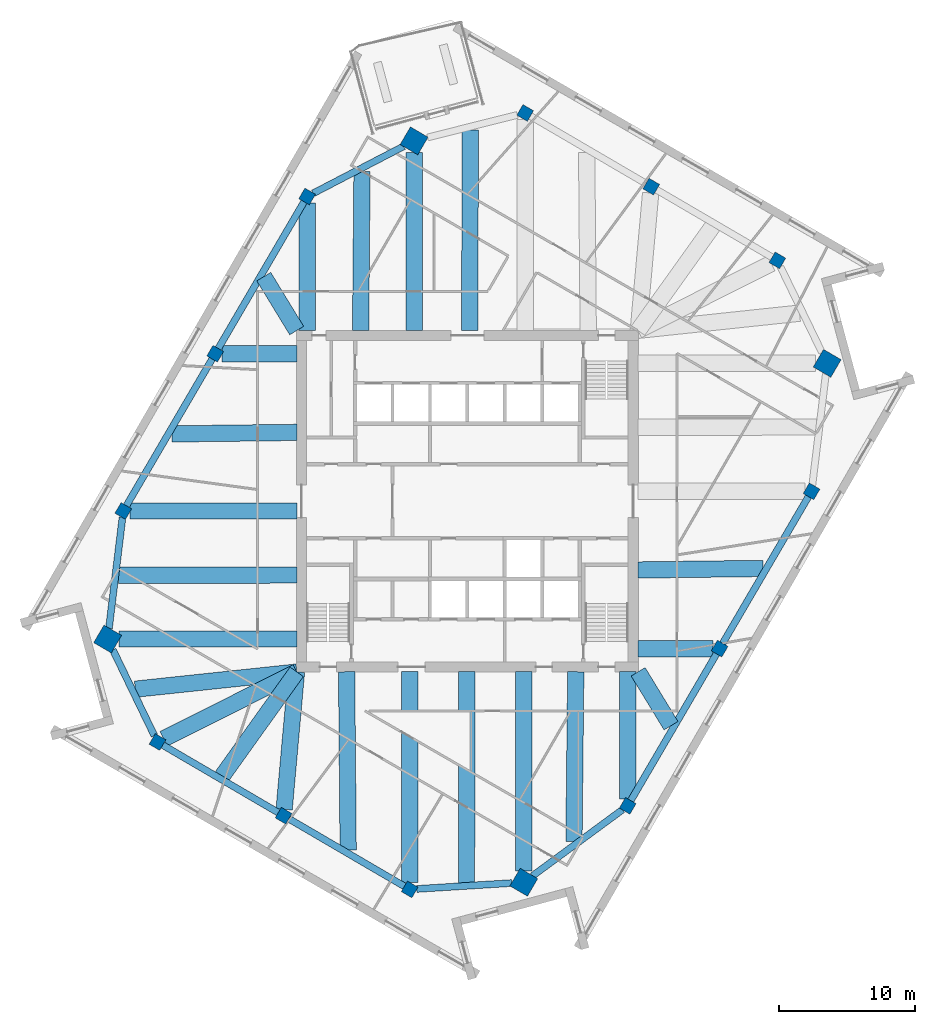
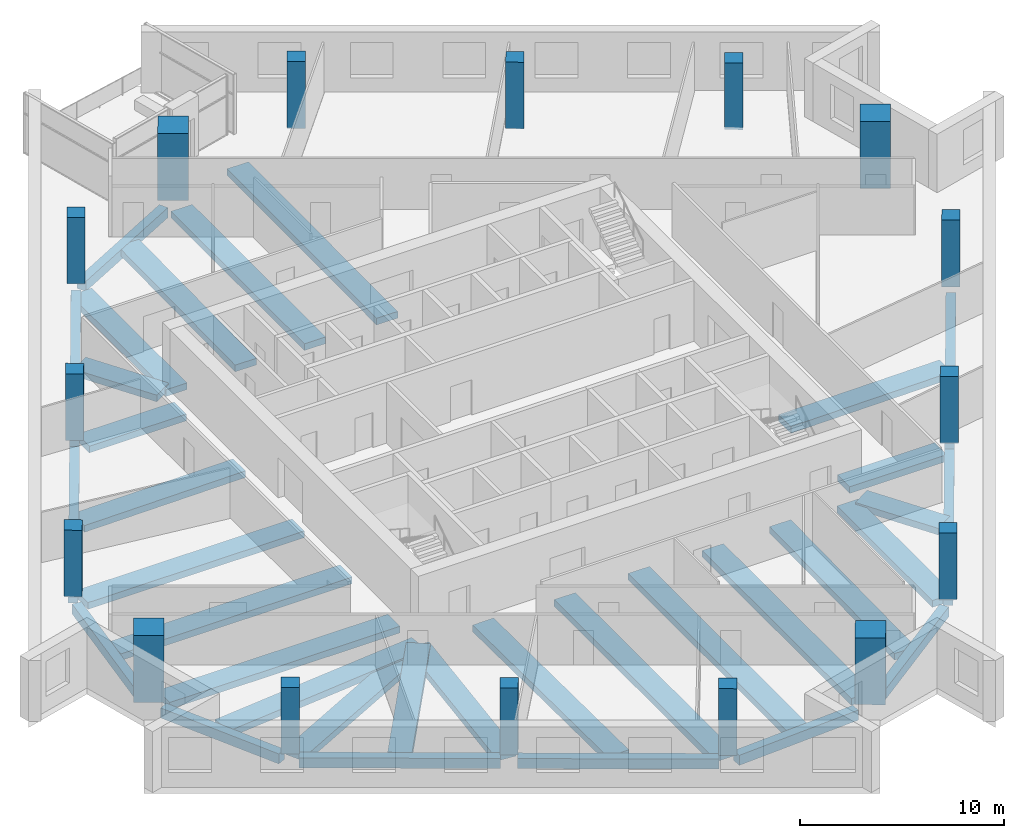
# One storey, part 1 of 13: 34 beams, 16 columns.
"""IFC4 building model written with IfcOpenShell, lengths in metres."""

from ifc_helpers import new_model, si_unit, direction, frame, origin, origin_2d, place, context, subcontext, project, spatial, rectangle, extrude, material, material_profile, profile_set, type_object, element, save


model = new_model("IFC4")

# Units and contexts
model_context = context("Model", 3, precision=1e-05, world=origin(), true_north=direction((0.0, 1.0)))
body_context = subcontext(model_context, "Body", "Model", "MODEL_VIEW")
ifc_project = project(units=[si_unit("LENGTHUNIT", "METRE"), si_unit("AREAUNIT", "SQUARE_METRE"), si_unit("VOLUMEUNIT", "CUBIC_METRE"), si_unit("PLANEANGLEUNIT", "RADIAN"), si_unit("MASSUNIT", "GRAM", prefix="KILO")], contexts=[model_context])

# Site, building, storey
site_placement = place(None, origin())
site = spatial("IfcSite", under=ifc_project, at=site_placement, CompositionType="ELEMENT")
building_placement = place(site_placement, origin())
building = spatial("IfcBuilding", under=site, at=building_placement, Name="Dilmun Exchange Tower", CompositionType="ELEMENT")
storey_placement = place(building_placement, frame((0.0, 0.0, 262.89990234375)))
storey = spatial("IfcBuildingStorey", under=building, at=storey_placement, Name="L62", CompositionType="ELEMENT", Elevation=262.89990234375)

# Columns
ifc_material_1 = material(Name="Concrete C50/60", Category="concrete")
ifc_material_profile_1 = material_profile(ifc_material_1, rectangle(XDim=1.5, YDim=1.5, at=origin_2d()), Name="1500 x 1500")
ifc_profile_set_1 = profile_set([ifc_material_profile_1], Name="Concrete C50/60")
column_type_1 = type_object("IfcColumnType", Name="RC mega column 1500 x 1500 C50/60", PredefinedType="COLUMN", material=ifc_profile_set_1)
for number, where, z_axis, x_axis, name in (
    (1, (-3.9150390625, 26.45703125, 0.0), (0.0, 0.0, 1.0), (0.504643651291, 0.863327739165, 0.0), "Mega column M1"),
    (2, (-26.4150390625, -10.1220703125, 0.0), (0.0, 0.0, 1.0), (0.504643651291, 0.863327739165, 0.0), "Mega column M2"),
    (3, (4.14111328125, -27.98291015625, 0.0), (0.0, 0.0, 1.0), (0.504643651291, 0.863327739165, 0.0), "Mega column M3"),
    (4, (26.4150390625, 10.1220703125, 0.0), (0.0, 0.0, 1.0), (0.504643651291, 0.863327739165, 0.0), "Mega column M4"),
):
    element("IfcColumn", number, at=place(storey_placement, frame(where, z_axis=z_axis, x_axis=x_axis)), inside=storey, type_object=column_type_1, Name=name, PredefinedType="COLUMN", context=body_context, shape_type="SweptSolid", body=[
        extrude(rectangle(XDim=1.5, YDim=1.5, at=origin_2d()), origin(), (0.0, 0.0, 1.0), 4.0),
    ])
ifc_material_profile_2 = material_profile(ifc_material_1, rectangle(XDim=0.89990234375, YDim=0.89990234375, at=origin_2d()), Name="900 x 900")
ifc_profile_set_2 = profile_set([ifc_material_profile_2], Name="Concrete C50/60")
column_type_2 = type_object("IfcColumnType", Name="RC ring column 900 x 900 C50/60", PredefinedType="COLUMN", material=ifc_profile_set_2)
for number, where, z_axis, x_axis, name in (
    (5, (-11.76904296875, 22.3720703125, 0.0), (0.0, 0.0, 1.0), (0.504643651291, 0.863327739165, 0.0), "Ring column R01"),
    (6, (-18.51806640625, 10.824951171875, 0.0), (0.0, 0.0, 1.0), (0.504643651291, 0.863327739165, 0.0), "Ring column R02"),
    (7, (-25.26806640625, -0.721923828125, 0.0), (0.0, 0.0, 1.0), (0.504643651291, 0.863327739165, 0.0), "Ring column R03"),
    (8, (-22.758056640625, -17.681884765625, 0.0), (0.0, 0.0, 1.0), (0.504643651291, 0.863327739165, 0.0), "Ring column R04"),
    (9, (-13.4990234375, -23.093994140625, 0.0), (0.0, 0.0, 1.0), (0.504643651291, 0.863327739165, 0.0), "Ring column R05"),
    (10, (-4.239990234375, -28.506103515625, 0.0), (0.0, 0.0, 1.0), (0.504643651291, 0.863327739165, 0.0), "Ring column R06"),
    (11, (11.76904296875, -22.3720703125, 0.0), (0.0, 0.0, 1.0), (0.504643651291, 0.863327739165, 0.0), "Ring column R07"),
    (12, (18.51806640625, -10.824951171875, 0.0), (0.0, 0.0, 1.0), (0.504643651291, 0.863327739165, 0.0), "Ring column R08"),
    (13, (25.26806640625, 0.721923828125, 0.0), (0.0, 0.0, 1.0), (0.504643651291, 0.863327739165, 0.0), "Ring column R09"),
    (14, (22.758056640625, 17.681884765625, 0.0), (0.0, 0.0, 1.0), (0.504643651291, 0.863327739165, 0.0), "Ring column R10"),
    (15, (13.4990234375, 23.093994140625, 0.0), (0.0, 0.0, 1.0), (0.504643651291, 0.863327739165, 0.0), "Ring column R11"),
    (16, (4.239990234375, 28.506103515625, 0.0), (0.0, 0.0, 1.0), (0.504643651291, 0.863327739165, 0.0), "Ring column R12"),
):
    element("IfcColumn", number, at=place(storey_placement, frame(where, z_axis=z_axis, x_axis=x_axis)), inside=storey, type_object=column_type_2, Name=name, PredefinedType="COLUMN", context=body_context, shape_type="SweptSolid", body=[
        extrude(rectangle(XDim=0.89990234375, YDim=0.89990234375, at=origin_2d()), origin(), (0.0, 0.0, 1.0), 4.0),
    ])

# Beams
ifc_material_2 = material(Name="Concrete C40/50", Category="concrete")
ifc_material_profile_3 = material_profile(ifc_material_2, rectangle(XDim=1.199951171875, YDim=0.39990234375, at=origin_2d()), Name="1200 x 400")
ifc_profile_set_3 = profile_set([ifc_material_profile_3], Name="Concrete C40/50")
beam_type_1 = type_object("IfcBeamType", Name="RC band beam 1200 x 400 C40/50", PredefinedType="BEAM", material=ifc_profile_set_3)
beam_1_placement = place(storey_placement, frame((-3.9150390625, 25.615234375, -0.659912109375), z_axis=(0.0, -1.0, 0.0), x_axis=(1.0, 0.0, 0.0)))
element("IfcBeam", 17, at=beam_1_placement, inside=storey, type_object=beam_type_1, Name="Band beam 1", PredefinedType="BEAM", context=body_context, shape_type="SweptSolid", body=[
    extrude(rectangle(XDim=1.199951171875, YDim=0.39990234375, at=origin_2d()), origin(), (0.0, 0.0, 1.0), 13.09228515625),
])
beam_2_placement = place(storey_placement, frame((-11.76904296875, 21.877685546875, -0.659912109375), z_axis=(0.0, -1.0, 0.0), x_axis=(1.0, 0.0, 0.0)))
element("IfcBeam", 18, at=beam_2_placement, inside=storey, type_object=beam_type_1, Name="Band beam 2", PredefinedType="BEAM", context=body_context, shape_type="SweptSolid", body=[
    extrude(rectangle(XDim=1.199951171875, YDim=0.39990234375, at=origin_2d()), origin(), (0.0, 0.0, 1.0), 9.354736328125),
])
beam_3_placement = place(storey_placement, frame((-18.023681640625, 10.824951171875, -0.659912109375), z_axis=(1.0, 0.0, 0.0), x_axis=(0.0, 1.0, 0.0)))
element("IfcBeam", 19, at=beam_3_placement, inside=storey, type_object=beam_type_1, Name="Band beam 3", PredefinedType="BEAM", context=body_context, shape_type="SweptSolid", body=[
    extrude(rectangle(XDim=1.199951171875, YDim=0.39990234375, at=origin_2d()), origin(), (0.0, 0.0, 1.0), 5.500732421875),
])
beam_4_placement = place(storey_placement, frame((-24.773681640625, -0.721923828125, -0.659912109375), z_axis=(1.0, 0.0, 0.0), x_axis=(0.0, 1.0, 0.0)))
element("IfcBeam", 20, at=beam_4_placement, inside=storey, type_object=beam_type_1, Name="Band beam 4", PredefinedType="BEAM", context=body_context, shape_type="SweptSolid", body=[
    extrude(rectangle(XDim=1.199951171875, YDim=0.39990234375, at=origin_2d()), origin(), (0.0, 0.0, 1.0), 12.250732421875),
])
beam_5_placement = place(storey_placement, frame((-25.5732421875, -10.1220703125, -0.659912109375), z_axis=(1.0, 0.0, 0.0), x_axis=(0.0, 1.0, 0.0)))
element("IfcBeam", 21, at=beam_5_placement, inside=storey, type_object=beam_type_1, Name="Band beam 5", PredefinedType="BEAM", context=body_context, shape_type="SweptSolid", body=[
    extrude(rectangle(XDim=1.199951171875, YDim=0.39990234375, at=origin_2d()), origin(), (0.0, 0.0, 1.0), 13.05029296875),
])
beam_6_placement = place(storey_placement, frame((-22.302734375, -17.453125, -0.659912109375), z_axis=(0.893443377394, 0.449175835716, 0.0), x_axis=(-0.449175835716, 0.893443377394, 0.0)))
element("IfcBeam", 22, at=beam_6_placement, inside=storey, type_object=beam_type_1, Name="Band beam 6", PredefinedType="BEAM", context=body_context, shape_type="SweptSolid", body=[
    extrude(rectangle(XDim=1.199951171875, YDim=0.39990234375, at=origin_2d()), origin(), (0.0, 0.0, 1.0), 10.94287109375),
])
beam_7_placement = place(storey_placement, frame((-13.456787109375, -22.625732421875, -0.659912109375), z_axis=(0.089632924375, 0.995974868593, 0.0), x_axis=(-0.995974868593, 0.089632924375, 0.0)))
element("IfcBeam", 23, at=beam_7_placement, inside=storey, type_object=beam_type_1, Name="Band beam 7", PredefinedType="BEAM", context=body_context, shape_type="SweptSolid", body=[
    extrude(rectangle(XDim=1.199951171875, YDim=0.39990234375, at=origin_2d()), origin(), (0.0, 0.0, 1.0), 10.143310546875),
])
beam_8_placement = place(storey_placement, frame((-4.239990234375, -28.01171875, -0.659912109375), z_axis=(0.0, 1.0, 0.0), x_axis=(-1.0, 0.0, 0.0)))
element("IfcBeam", 24, at=beam_8_placement, inside=storey, type_object=beam_type_1, Name="Band beam 8", PredefinedType="BEAM", context=body_context, shape_type="SweptSolid", body=[
    extrude(rectangle(XDim=1.199951171875, YDim=0.39990234375, at=origin_2d()), origin(), (0.0, 0.0, 1.0), 15.48876953125),
])
beam_9_placement = place(storey_placement, frame((4.14111328125, -27.141357421875, -0.659912109375), z_axis=(0.0, 1.0, 0.0), x_axis=(-1.0, 0.0, 0.0)))
element("IfcBeam", 25, at=beam_9_placement, inside=storey, type_object=beam_type_1, Name="Band beam 9", PredefinedType="BEAM", context=body_context, shape_type="SweptSolid", body=[
    extrude(rectangle(XDim=1.199951171875, YDim=0.39990234375, at=origin_2d()), origin(), (0.0, 0.0, 1.0), 14.618408203125),
])
beam_10_placement = place(storey_placement, frame((11.76904296875, -21.877685546875, -0.659912109375), z_axis=(0.0, 1.0, 0.0), x_axis=(-1.0, 0.0, 0.0)))
element("IfcBeam", 26, at=beam_10_placement, inside=storey, type_object=beam_type_1, Name="Band beam 10", PredefinedType="BEAM", context=body_context, shape_type="SweptSolid", body=[
    extrude(rectangle(XDim=1.199951171875, YDim=0.39990234375, at=origin_2d()), origin(), (0.0, 0.0, 1.0), 9.354736328125),
])
beam_11_placement = place(storey_placement, frame((18.023681640625, -10.824951171875, -0.659912109375), z_axis=(-1.0, 0.0, 0.0), x_axis=(0.0, -1.0, 0.0)))
element("IfcBeam", 27, at=beam_11_placement, inside=storey, type_object=beam_type_1, Name="Band beam 11", PredefinedType="BEAM", context=body_context, shape_type="SweptSolid", body=[
    extrude(rectangle(XDim=1.199951171875, YDim=0.39990234375, at=origin_2d()), origin(), (0.0, 0.0, 1.0), 5.500732421875),
])
beam_12_placement = place(storey_placement, frame((-7.739013671875, 24.216796875, -0.559814453125), z_axis=(-0.008810046818, -0.999961190784, 0.0), x_axis=(0.999961190784, -0.008810046818, 0.0)))
element("IfcBeam", 28, at=beam_12_placement, inside=storey, type_object=beam_type_1, Name="Band beam 17", PredefinedType="BEAM", context=body_context, shape_type="SweptSolid", body=[
    extrude(rectangle(XDim=1.199951171875, YDim=0.39990234375, at=origin_2d()), origin(), (0.0, 0.0, 1.0), 11.6943359375),
])
beam_13_placement = place(storey_placement, frame((-14.950927734375, 16.486083984375, -0.559814453125), z_axis=(0.520868546878, -0.853636899901, 0.0), x_axis=(0.853636899901, 0.520868546878, 0.0)))
element("IfcBeam", 29, at=beam_13_placement, inside=storey, type_object=beam_type_1, Name="Band beam 18", PredefinedType="BEAM", context=body_context, shape_type="SweptSolid", body=[
    extrude(rectangle(XDim=1.199951171875, YDim=0.39990234375, at=origin_2d()), origin(), (0.0, 0.0, 1.0), 4.637451171875),
])
beam_14_placement = place(storey_placement, frame((-21.700439453125, 4.93896484375, -0.559814453125), z_axis=(0.999924810861, 0.01226265164, 0.0), x_axis=(-0.01226265164, 0.999924810861, 0.0)))
element("IfcBeam", 30, at=beam_14_placement, inside=storey, type_object=beam_type_1, Name="Band beam 19", PredefinedType="BEAM", context=body_context, shape_type="SweptSolid", body=[
    extrude(rectangle(XDim=1.199951171875, YDim=0.39990234375, at=origin_2d()), origin(), (0.0, 0.0, 1.0), 9.17822265625),
])
beam_15_placement = place(storey_placement, frame((-25.6201171875, -5.448974609375, -0.559814453125), z_axis=(0.999997897774, 0.002050474756, 0.0), x_axis=(-0.002050474756, 0.999997897774, 0.0)))
element("IfcBeam", 31, at=beam_15_placement, inside=storey, type_object=beam_type_1, Name="Band beam 20", PredefinedType="BEAM", context=body_context, shape_type="SweptSolid", body=[
    extrude(rectangle(XDim=1.199951171875, YDim=0.39990234375, at=origin_2d()), origin(), (0.0, 0.0, 1.0), 13.09716796875),
])
beam_16_placement = place(storey_placement, frame((-24.3857421875, -13.804931640625, -0.559814453125), z_axis=(0.994425543871, 0.105441157505, 0.0), x_axis=(-0.105441157505, 0.994425543871, 0.0)))
element("IfcBeam", 32, at=beam_16_placement, inside=storey, type_object=beam_type_1, Name="Band beam 21", PredefinedType="BEAM", context=body_context, shape_type="SweptSolid", body=[
    extrude(rectangle(XDim=1.199951171875, YDim=0.39990234375, at=origin_2d()), origin(), (0.0, 0.0, 1.0), 11.928955078125),
])
beam_17_placement = place(storey_placement, frame((-18.01611328125, -20.195556640625, -0.559814453125), z_axis=(0.581600762294, 0.81347437163, 0.0), x_axis=(-0.81347437163, 0.581600762294, 0.0)))
element("IfcBeam", 33, at=beam_17_placement, inside=storey, type_object=beam_type_1, Name="Band beam 22", PredefinedType="BEAM", context=body_context, shape_type="SweptSolid", body=[
    extrude(rectangle(XDim=1.199951171875, YDim=0.39990234375, at=origin_2d()), origin(), (0.0, 0.0, 1.0), 9.425537109375),
])
beam_18_placement = place(storey_placement, frame((-8.757080078125, -25.607421875, -0.559814453125), z_axis=(-0.008582734208, 0.999963167658, 0.0), x_axis=(-0.999963167658, -0.008582734208, 0.0)))
element("IfcBeam", 34, at=beam_18_placement, inside=storey, type_object=beam_type_1, Name="Band beam 23", PredefinedType="BEAM", context=body_context, shape_type="SweptSolid", body=[
    extrude(rectangle(XDim=1.199951171875, YDim=0.39990234375, at=origin_2d()), origin(), (0.0, 0.0, 1.0), 13.0849609375),
])
beam_19_placement = place(storey_placement, frame((-0.0634765625, -28.02197265625, -0.559814453125), z_axis=(0.000897863667, 0.99999959692, 0.0), x_axis=(-0.99999959692, 0.000897863667, 0.0)))
element("IfcBeam", 35, at=beam_19_placement, inside=storey, type_object=beam_type_1, Name="Band beam 24", PredefinedType="BEAM", context=body_context, shape_type="SweptSolid", body=[
    extrude(rectangle(XDim=1.199951171875, YDim=0.39990234375, at=origin_2d()), origin(), (0.0, 0.0, 1.0), 15.4990234375),
])
beam_20_placement = place(storey_placement, frame((7.822998046875, -24.997802734375, -0.559814453125), z_axis=(0.010587112348, 0.999943954956, 0.0), x_axis=(-0.999943954956, 0.010587112348, 0.0)))
element("IfcBeam", 36, at=beam_20_placement, inside=storey, type_object=beam_type_1, Name="Band beam 25", PredefinedType="BEAM", context=body_context, shape_type="SweptSolid", body=[
    extrude(rectangle(XDim=1.199951171875, YDim=0.39990234375, at=origin_2d()), origin(), (0.0, 0.0, 1.0), 12.4755859375),
])
beam_21_placement = place(storey_placement, frame((14.950927734375, -16.486083984375, -0.559814453125), z_axis=(-0.520868546878, 0.853636899901, 0.0), x_axis=(-0.853636899901, -0.520868546878, 0.0)))
element("IfcBeam", 37, at=beam_21_placement, inside=storey, type_object=beam_type_1, Name="Band beam 26", PredefinedType="BEAM", context=body_context, shape_type="SweptSolid", body=[
    extrude(rectangle(XDim=1.199951171875, YDim=0.39990234375, at=origin_2d()), origin(), (0.0, 0.0, 1.0), 4.637451171875),
])
beam_22_placement = place(storey_placement, frame((21.700439453125, -4.93896484375, -0.559814453125), z_axis=(-0.999924810861, -0.01226265164, 0.0), x_axis=(0.01226265164, -0.999924810861, 0.0)))
element("IfcBeam", 38, at=beam_22_placement, inside=storey, type_object=beam_type_1, Name="Band beam 27", PredefinedType="BEAM", context=body_context, shape_type="SweptSolid", body=[
    extrude(rectangle(XDim=1.199951171875, YDim=0.39990234375, at=origin_2d()), origin(), (0.0, 0.0, 1.0), 9.17822265625),
])
beam_23_placement = place(storey_placement, frame((0.216796875, 27.26513671875, -0.559814453125), z_axis=(-0.003676445742, -0.999993241851, 0.0), x_axis=(0.999993241851, -0.003676445742, 0.0)))
element("IfcBeam", 39, at=beam_23_placement, inside=storey, type_object=beam_type_1, Name="Band beam 32", PredefinedType="BEAM", context=body_context, shape_type="SweptSolid", body=[
    extrude(rectangle(XDim=1.199951171875, YDim=0.39990234375, at=origin_2d()), origin(), (0.0, 0.0, 1.0), 14.7421875),
])
ifc_material_profile_4 = material_profile(ifc_material_2, rectangle(XDim=0.5, YDim=0.60009765625, at=origin_2d()), Name="500 x 600")
ifc_profile_set_4 = profile_set([ifc_material_profile_4], Name="Concrete C40/50")
beam_type_2 = type_object("IfcBeamType", Name="RC ring beam 500 x 600 C40/50", PredefinedType="SPANDREL", material=ifc_profile_set_4)
beam_24_placement = place(storey_placement, frame((-4.677490234375, 26.060302734375, -0.659912109375), z_axis=(-0.887179966585, -0.461423565599, 0.0), x_axis=(0.461423565599, -0.887179966585, 0.0)))
element("IfcBeam", 40, at=beam_24_placement, inside=storey, type_object=beam_type_2, Name="Ring beam 1", PredefinedType="SPANDREL", context=body_context, shape_type="SweptSolid", body=[
    extrude(rectangle(XDim=0.5, YDim=0.60009765625, at=origin_2d()), origin(), (0.0, 0.0, 1.0), 7.48828125),
])
beam_25_placement = place(storey_placement, frame((-11.982421875, 22.0068359375, -0.659912109375), z_axis=(-0.504603860956, -0.863350996703, 0.0), x_axis=(0.863350996703, -0.504603860956, 0.0)))
element("IfcBeam", 41, at=beam_25_placement, inside=storey, type_object=beam_type_2, Name="Ring beam 2", PredefinedType="SPANDREL", context=body_context, shape_type="SweptSolid", body=[
    extrude(rectangle(XDim=0.5, YDim=0.60009765625, at=origin_2d()), origin(), (0.0, 0.0, 1.0), 12.528564453125),
])
beam_26_placement = place(storey_placement, frame((-18.7314453125, 10.459716796875, -0.659912109375), z_axis=(-0.504670446374, -0.863312075994, 0.0), x_axis=(0.863312075994, -0.504670446374, 0.0)))
element("IfcBeam", 42, at=beam_26_placement, inside=storey, type_object=beam_type_2, Name="Ring beam 3", PredefinedType="SPANDREL", context=body_context, shape_type="SweptSolid", body=[
    extrude(rectangle(XDim=0.5, YDim=0.60009765625, at=origin_2d()), origin(), (0.0, 0.0, 1.0), 12.529052734375),
])
beam_27_placement = place(storey_placement, frame((-25.32421875, -1.181640625, -0.659912109375), z_axis=(-0.121108645076, -0.992639257781, 0.0), x_axis=(0.992639257781, -0.121108645076, 0.0)))
element("IfcBeam", 43, at=beam_27_placement, inside=storey, type_object=beam_type_2, Name="Ring beam 4", PredefinedType="SPANDREL", context=body_context, shape_type="SweptSolid", body=[
    extrude(rectangle(XDim=0.5, YDim=0.60009765625, at=origin_2d()), origin(), (0.0, 0.0, 1.0), 8.216796875),
])
beam_28_placement = place(storey_placement, frame((-26.033447265625, -10.910888671875, -0.659912109375), z_axis=(0.435439794363, -0.900217854458, 0.0), x_axis=(0.900217854458, 0.435439794363, 0.0)))
element("IfcBeam", 44, at=beam_28_placement, inside=storey, type_object=beam_type_2, Name="Ring beam 5", PredefinedType="SPANDREL", context=body_context, shape_type="SweptSolid", body=[
    extrude(rectangle(XDim=0.5, YDim=0.60009765625, at=origin_2d()), origin(), (0.0, 0.0, 1.0), 7.0068359375),
])
beam_29_placement = place(storey_placement, frame((-22.392822265625, -17.8955078125, -0.659912109375), z_axis=(0.863333071594, -0.504634528637, 0.0), x_axis=(0.504634528637, 0.863333071594, 0.0)))
element("IfcBeam", 45, at=beam_29_placement, inside=storey, type_object=beam_type_2, Name="Ring beam 6", PredefinedType="SPANDREL", context=body_context, shape_type="SweptSolid", body=[
    extrude(rectangle(XDim=0.5, YDim=0.60009765625, at=origin_2d()), origin(), (0.0, 0.0, 1.0), 9.878662109375),
])
beam_30_placement = place(storey_placement, frame((-13.1337890625, -23.3076171875, -0.659912109375), z_axis=(0.863343838609, -0.504616107884, 0.0), x_axis=(0.504616107884, 0.863343838609, 0.0)))
element("IfcBeam", 46, at=beam_30_placement, inside=storey, type_object=beam_type_2, Name="Ring beam 7", PredefinedType="SPANDREL", context=body_context, shape_type="SweptSolid", body=[
    extrude(rectangle(XDim=0.5, YDim=0.60009765625, at=origin_2d()), origin(), (0.0, 0.0, 1.0), 9.87841796875),
])
beam_31_placement = place(storey_placement, frame((-3.72607421875, -28.473876953125, -0.659912109375), z_axis=(0.998059216844, 0.062271981443, 0.0), x_axis=(-0.062271981443, 0.998059216844, 0.0)))
element("IfcBeam", 47, at=beam_31_placement, inside=storey, type_object=beam_type_2, Name="Ring beam 8", PredefinedType="SPANDREL", context=body_context, shape_type="SweptSolid", body=[
    extrude(rectangle(XDim=0.5, YDim=0.60009765625, at=origin_2d()), origin(), (0.0, 0.0, 1.0), 7.006103515625),
])
beam_32_placement = place(storey_placement, frame((4.77734375, -27.514892578125, -0.659912109375), z_axis=(0.805549228719, 0.592528851711, 0.0), x_axis=(-0.592528851711, 0.805549228719, 0.0)))
element("IfcBeam", 48, at=beam_32_placement, inside=storey, type_object=beam_type_2, Name="Ring beam 9", PredefinedType="SPANDREL", context=body_context, shape_type="SweptSolid", body=[
    extrude(rectangle(XDim=0.5, YDim=0.60009765625, at=origin_2d()), origin(), (0.0, 0.0, 1.0), 8.21630859375),
])
beam_33_placement = place(storey_placement, frame((11.982421875, -22.0068359375, -0.659912109375), z_axis=(0.504603860956, 0.863350996703, 0.0), x_axis=(-0.863350996703, 0.504603860956, 0.0)))
element("IfcBeam", 49, at=beam_33_placement, inside=storey, type_object=beam_type_2, Name="Ring beam 10", PredefinedType="SPANDREL", context=body_context, shape_type="SweptSolid", body=[
    extrude(rectangle(XDim=0.5, YDim=0.60009765625, at=origin_2d()), origin(), (0.0, 0.0, 1.0), 12.528564453125),
])
beam_34_placement = place(storey_placement, frame((18.7314453125, -10.459716796875, -0.659912109375), z_axis=(0.504670446374, 0.863312075994, 0.0), x_axis=(-0.863312075994, 0.504670446374, 0.0)))
element("IfcBeam", 50, at=beam_34_placement, inside=storey, type_object=beam_type_2, Name="Ring beam 11", PredefinedType="SPANDREL", context=body_context, shape_type="SweptSolid", body=[
    extrude(rectangle(XDim=0.5, YDim=0.60009765625, at=origin_2d()), origin(), (0.0, 0.0, 1.0), 12.529052734375),
])

save(model, "model.ifc")
